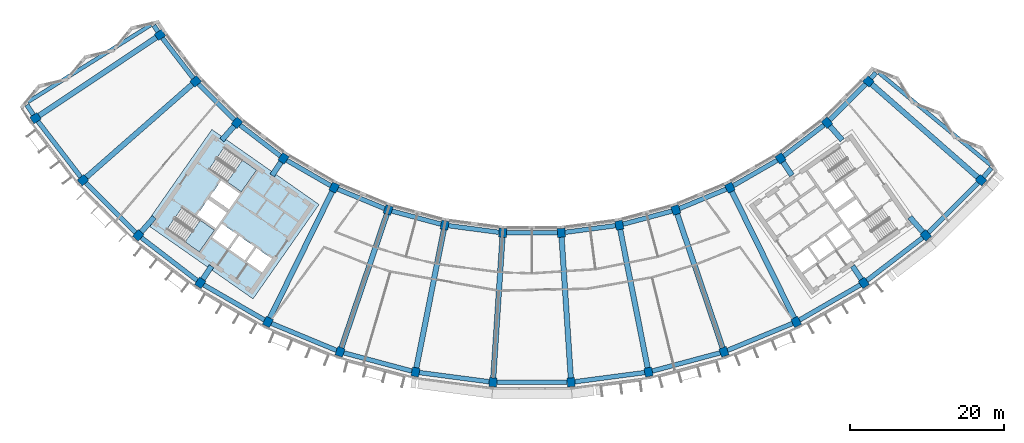
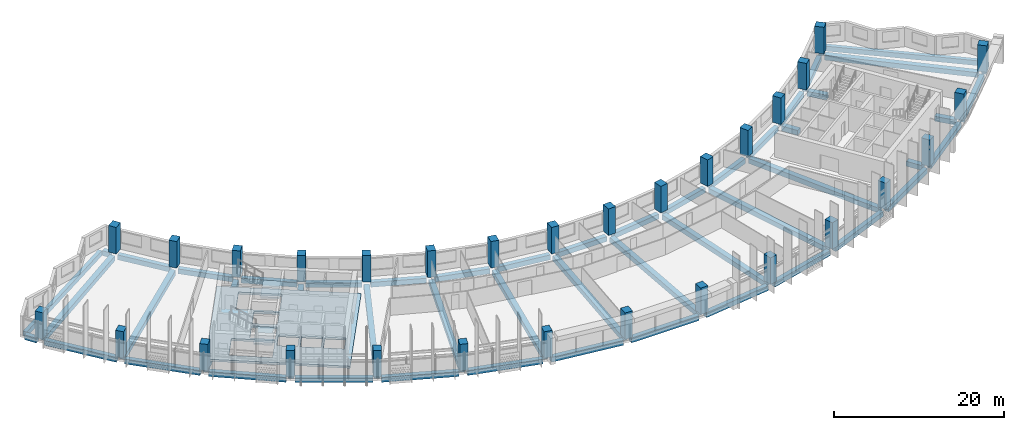
# One storey, part 1 of 28: 53 beams, 30 columns, 3 slabs, 2 elements without a shape of their own.
"""IFC4 building model written with IfcOpenShell, lengths in metres."""

from ifc_helpers import new_model, si_unit, direction, frame, origin, origin_2d, place, context, subcontext, project, spatial, polyline, rectangle, outline, extrude, material, layer, layer_set, material_profile, profile_set, type_object, element, aggregate, save


model = new_model("IFC4")

# Units and contexts
model_context = context("Model", 3, precision=1e-05, world=origin(), true_north=direction((0.0, 1.0)))
body_context = subcontext(model_context, "Body", "Model", "MODEL_VIEW")
ifc_project = project(units=[si_unit("LENGTHUNIT", "METRE"), si_unit("AREAUNIT", "SQUARE_METRE"), si_unit("VOLUMEUNIT", "CUBIC_METRE"), si_unit("PLANEANGLEUNIT", "RADIAN"), si_unit("MASSUNIT", "GRAM", prefix="KILO")], contexts=[model_context])

# Site, building, storey
site_placement = place(None, origin())
site = spatial("IfcSite", under=ifc_project, at=site_placement, CompositionType="ELEMENT")
building_placement = place(site_placement, origin())
building = spatial("IfcBuilding", under=site, at=building_placement, Name="Qamariyya Broadcast Tower", CompositionType="ELEMENT")
storey_placement = place(building_placement, frame((0.0, 0.0, 218.89990234375)))
storey = spatial("IfcBuildingStorey", under=building, at=storey_placement, Name="L52", CompositionType="ELEMENT", Elevation=218.89990234375)

# Columns
ifc_material_1 = material(Name="Concrete C60/75", Category="concrete")
ifc_material_profile_1 = material_profile(ifc_material_1, rectangle(XDim=1.0, YDim=1.14990234375, at=origin_2d()))
ifc_profile_set_1 = profile_set([ifc_material_profile_1], Name="Concrete C60/75")
column_type = type_object("IfcColumnType", Name="RC column 1000 x 1150 C60/75", PredefinedType="COLUMN", material=ifc_profile_set_1)
for number, where, z_axis, x_axis, name in (
    (1, (-48.43310546875, -32.362060546875, 0.0), (0.0, 0.0, 1.0), (0.55557023302, -0.831469612303, 0.0), "Column C11 L52 B-R03"),
    (2, (-64.646728515625, -43.195556640625, 0.0), (0.0, 0.0, 1.0), (0.55557023302, -0.831469612303, 0.0), "Column C11 L52 C-R03"),
    (3, (-43.794677734375, -38.406982421875, 0.0), (0.0, 0.0, 1.0), (0.6593458151, -0.751839807479, 0.0), "Column C11 L52 B-R04"),
    (4, (-58.45556640625, -51.26416015625, 0.0), (0.0, 0.0, 1.0), (0.6593458151, -0.751839807479, 0.0), "Column C11 L52 C-R04"),
    (5, (-38.406982421875, -43.794677734375, 0.0), (0.0, 0.0, 1.0), (0.751839807479, -0.6593458151, 0.0), "Column C11 L52 B-R05"),
    (6, (-51.26416015625, -58.45556640625, 0.0), (0.0, 0.0, 1.0), (0.751839807479, -0.6593458151, 0.0), "Column C11 L52 C-R05"),
    (7, (-32.362060546875, -48.43310546875, 0.0), (0.0, 0.0, 1.0), (0.831469612303, -0.55557023302, 0.0), "Column C11 L52 B-R06"),
    (8, (-43.195556640625, -64.646728515625, 0.0), (0.0, 0.0, 1.0), (0.831469612303, -0.55557023302, 0.0), "Column C11 L52 C-R06"),
    (9, (-25.763427734375, -52.242919921875, 0.0), (0.0, 0.0, 1.0), (0.896872741533, -0.442288690219, 0.0), "Column C11 L52 B-R07"),
    (10, (-34.387939453125, -69.73193359375, 0.0), (0.0, 0.0, 1.0), (0.896872741533, -0.442288690219, 0.0), "Column C11 L52 C-R07"),
    (11, (-18.723876953125, -55.15869140625, 0.0), (0.0, 0.0, 1.0), (0.946930129495, -0.321439465303, 0.0), "Column C11 L52 B-R08"),
    (12, (-24.991943359375, -73.623779296875, 0.0), (0.0, 0.0, 1.0), (0.946930129495, -0.321439465303, 0.0), "Column C11 L52 C-R08"),
    (13, (-11.364013671875, -57.130859375, 0.0), (0.0, 0.0, 1.0), (0.980785280403, -0.195090322016, 0.0), "Column C11 L52 B-R09"),
    (14, (-15.168212890625, -76.256103515625, 0.0), (0.0, 0.0, 1.0), (0.980785280403, -0.195090322016, 0.0), "Column C11 L52 C-R09"),
    (15, (-3.809814453125, -58.125244140625, 0.0), (0.0, 0.0, 1.0), (0.997858923239, -0.06540312923, 0.0), "Column C11 L52 B-R10"),
    (16, (-5.085205078125, -77.58349609375, 0.0), (0.0, 0.0, 1.0), (0.997858923239, -0.06540312923, 0.0), "Column C11 L52 C-R10"),
    (17, (3.809814453125, -58.125244140625, 0.0), (0.0, 0.0, 1.0), (0.997858923239, 0.06540312923, 0.0), "Column C11 L52 B-R11"),
    (18, (5.085205078125, -77.58349609375, 0.0), (0.0, 0.0, 1.0), (0.997858923239, 0.06540312923, 0.0), "Column C11 L52 C-R11"),
    (19, (11.364013671875, -57.130859375, 0.0), (0.0, 0.0, 1.0), (0.980785280403, 0.195090322016, 0.0), "Column C11 L52 B-R12"),
    (20, (15.168212890625, -76.256103515625, 0.0), (0.0, 0.0, 1.0), (0.980785280403, 0.195090322016, 0.0), "Column C11 L52 C-R12"),
    (21, (18.723876953125, -55.15869140625, 0.0), (0.0, 0.0, 1.0), (0.946930129495, 0.321439465303, 0.0), "Column C11 L52 B-R13"),
    (22, (24.991943359375, -73.623779296875, 0.0), (0.0, 0.0, 1.0), (0.946930129495, 0.321439465303, 0.0), "Column C11 L52 C-R13"),
    (23, (25.763427734375, -52.242919921875, 0.0), (0.0, 0.0, 1.0), (0.896872741533, 0.442288690219, 0.0), "Column C11 L52 B-R14"),
    (24, (34.387939453125, -69.73193359375, 0.0), (0.0, 0.0, 1.0), (0.896872741533, 0.442288690219, 0.0), "Column C11 L52 C-R14"),
    (25, (32.362060546875, -48.43310546875, 0.0), (0.0, 0.0, 1.0), (0.831469612303, 0.55557023302, 0.0), "Column C11 L52 B-R15"),
    (26, (43.195556640625, -64.646728515625, 0.0), (0.0, 0.0, 1.0), (0.831469612303, 0.55557023302, 0.0), "Column C11 L52 C-R15"),
    (27, (38.406982421875, -43.794677734375, 0.0), (0.0, 0.0, 1.0), (0.751839807479, 0.6593458151, 0.0), "Column C11 L52 B-R16"),
    (28, (51.26416015625, -58.45556640625, 0.0), (0.0, 0.0, 1.0), (0.751839807479, 0.6593458151, 0.0), "Column C11 L52 C-R16"),
    (29, (43.794677734375, -38.406982421875, 0.0), (0.0, 0.0, 1.0), (0.6593458151, 0.751839807479, 0.0), "Column C11 L52 B-R17"),
    (30, (58.45556640625, -51.26416015625, 0.0), (0.0, 0.0, 1.0), (0.6593458151, 0.751839807479, 0.0), "Column C11 L52 C-R17"),
):
    element("IfcColumn", number, at=place(storey_placement, frame(where, z_axis=z_axis, x_axis=x_axis)), inside=storey, type_object=column_type, Name=name, PredefinedType="COLUMN", context=body_context, shape_type="SweptSolid", body=[
        extrude(rectangle(XDim=1.0, YDim=1.14990234375, at=origin_2d()), origin(), (0.0, 0.0, 1.0), 3.800048828125),
    ])

# Beams
ifc_material_2 = material(Name="Concrete C40/50", Category="concrete")
ifc_material_profile_2 = material_profile(ifc_material_2, rectangle(XDim=0.60009765625, YDim=0.699951171875, at=origin_2d()))
ifc_profile_set_2 = profile_set([ifc_material_profile_2], Name="Concrete C40/50")
beam_type_1 = type_object("IfcBeamType", Name="RC edge beam 600 x 700 C40/50", PredefinedType="SPANDREL", material=ifc_profile_set_2)
for number, where, z_axis, x_axis, name in (
    (31, (-48.128173828125, -32.759521484375, -0.64990234375), (0.608788546151, -0.79333253184, 0.0), (0.79333253184, 0.608788546151, 0.0), "Edge beam B20 L52 B R03-R04"),
    (32, (-43.4404296875, -38.76123046875, -0.64990234375), (0.707106781187, -0.707106781187, 0.0), (0.707106781187, 0.707106781187, 0.0), "Edge beam B20 L52 B R04-R05"),
    (33, (-38.00927734375, -44.099609375, -0.64990234375), (0.79333253184, -0.608788546151, 0.0), (0.608788546151, 0.79333253184, 0.0), "Edge beam B20 L52 B R05-R06"),
):
    element("IfcBeam", number, at=place(storey_placement, frame(where, z_axis=z_axis, x_axis=x_axis)), inside=storey, type_object=beam_type_1, Name=name, PredefinedType="SPANDREL", context=body_context, shape_type="SweptSolid", body=[
        extrude(rectangle(XDim=0.60009765625, YDim=0.699951171875, at=origin_2d()), origin(), (0.0, 0.0, 1.0), 6.617431640625),
    ])
for number, where, z_axis, x_axis, name in (
    (34, (-31.927978515625, -48.68359375, -0.64990234375), (0.866027686223, -0.499996046679, 0.0), (0.499996046679, 0.866027686223, 0.0), "Edge beam B20 L52 B R06-R07"),
    (35, (-25.30029296875, -52.4345703125, -0.64990234375), (0.923870685948, -0.382704789159, 0.0), (0.382704789159, 0.923870685948, 0.0), "Edge beam B20 L52 B R07-R08"),
):
    element("IfcBeam", number, at=place(storey_placement, frame(where, z_axis=z_axis, x_axis=x_axis)), inside=storey, type_object=beam_type_1, Name=name, PredefinedType="SPANDREL", context=body_context, shape_type="SweptSolid", body=[
        extrude(rectangle(XDim=0.60009765625, YDim=0.699951171875, at=origin_2d()), origin(), (0.0, 0.0, 1.0), 6.6171875),
    ])
for number, where, z_axis, x_axis, name in (
    (36, (-18.23974609375, -55.288330078125, -0.64990234375), (0.965927466282, -0.258812924486, 0.0), (0.258812924486, 0.965927466282, 0.0), "Edge beam B20 L52 B R08-R09"),
    (37, (-10.8671875, -57.196044921875, -0.64990234375), (0.991444372314, -0.130529906942, 0.0), (0.130529906942, 0.991444372314, 0.0), "Edge beam B20 L52 B R09-R10"),
):
    element("IfcBeam", number, at=place(storey_placement, frame(where, z_axis=z_axis, x_axis=x_axis)), inside=storey, type_object=beam_type_1, Name=name, PredefinedType="SPANDREL", context=body_context, shape_type="SweptSolid", body=[
        extrude(rectangle(XDim=0.60009765625, YDim=0.699951171875, at=origin_2d()), origin(), (0.0, 0.0, 1.0), 6.617431640625),
    ])
beam_1_placement = place(storey_placement, frame((-3.30859375, -58.125244140625, -0.64990234375), z_axis=(1.0, 0.0, 0.0), x_axis=(0.0, 1.0, 0.0)))
element("IfcBeam", 38, at=beam_1_placement, inside=storey, type_object=beam_type_1, Name="Edge beam B20 L52 B R10-R11", PredefinedType="SPANDREL", context=body_context, shape_type="SweptSolid", body=[
    extrude(rectangle(XDim=0.60009765625, YDim=0.699951171875, at=origin_2d()), origin(), (0.0, 0.0, 1.0), 6.6171875),
])
for number, where, z_axis, x_axis, name in (
    (39, (4.306396484375, -58.059814453125, -0.64990234375), (0.991444372314, 0.130529906942, 0.0), (-0.130529906942, 0.991444372314, 0.0), "Edge beam B20 L52 B R11-R12"),
    (40, (11.847900390625, -57.0009765625, -0.64990234375), (0.965927466282, 0.258812924486, 0.0), (-0.258812924486, 0.965927466282, 0.0), "Edge beam B20 L52 B R12-R13"),
):
    element("IfcBeam", number, at=place(storey_placement, frame(where, z_axis=z_axis, x_axis=x_axis)), inside=storey, type_object=beam_type_1, Name=name, PredefinedType="SPANDREL", context=body_context, shape_type="SweptSolid", body=[
        extrude(rectangle(XDim=0.60009765625, YDim=0.699951171875, at=origin_2d()), origin(), (0.0, 0.0, 1.0), 6.617431640625),
    ])
for number, where, z_axis, x_axis, name in (
    (41, (19.186767578125, -54.967041015625, -0.64990234375), (0.923870685948, 0.382704789159, 0.0), (-0.382704789159, 0.923870685948, 0.0), "Edge beam B20 L52 B R13-R14"),
    (42, (26.197265625, -51.9921875, -0.64990234375), (0.866027686223, 0.499996046679, 0.0), (-0.499996046679, 0.866027686223, 0.0), "Edge beam B20 L52 B R14-R15"),
):
    element("IfcBeam", number, at=place(storey_placement, frame(where, z_axis=z_axis, x_axis=x_axis)), inside=storey, type_object=beam_type_1, Name=name, PredefinedType="SPANDREL", context=body_context, shape_type="SweptSolid", body=[
        extrude(rectangle(XDim=0.60009765625, YDim=0.699951171875, at=origin_2d()), origin(), (0.0, 0.0, 1.0), 6.6171875),
    ])
for number, where, z_axis, x_axis, name in (
    (43, (32.759521484375, -48.128173828125, -0.64990234375), (0.79333253184, 0.608788546151, 0.0), (-0.608788546151, 0.79333253184, 0.0), "Edge beam B20 L52 B R15-R16"),
    (44, (38.76123046875, -43.4404296875, -0.64990234375), (0.707106781187, 0.707106781187, 0.0), (-0.707106781187, 0.707106781187, 0.0), "Edge beam B20 L52 B R16-R17"),
):
    element("IfcBeam", number, at=place(storey_placement, frame(where, z_axis=z_axis, x_axis=x_axis)), inside=storey, type_object=beam_type_1, Name=name, PredefinedType="SPANDREL", context=body_context, shape_type="SweptSolid", body=[
        extrude(rectangle(XDim=0.60009765625, YDim=0.699951171875, at=origin_2d()), origin(), (0.0, 0.0, 1.0), 6.617431640625),
    ])
for number, where, z_axis, x_axis, name in (
    (45, (-64.341796875, -43.593017578125, -0.64990234375), (0.608761882331, -0.793352992445, 0.0), (0.793352992445, 0.608761882331, 0.0), "Edge beam B20 L52 C R03-R04"),
    (46, (-58.101318359375, -51.618408203125, -0.64990234375), (0.707106781187, -0.707106781187, 0.0), (0.707106781187, 0.707106781187, 0.0), "Edge beam B20 L52 C R04-R05"),
    (47, (-50.86669921875, -58.760498046875, -0.64990234375), (0.793352992445, -0.608761882331, 0.0), (0.608761882331, 0.793352992445, 0.0), "Edge beam B20 L52 C R05-R06"),
    (48, (-42.76171875, -64.897216796875, -0.64990234375), (0.866032154434, -0.49998830735, 0.0), (0.49998830735, 0.866032154434, 0.0), "Edge beam B20 L52 C R06-R07"),
    (49, (-33.925048828125, -69.923583984375, -0.64990234375), (0.923876946533, -0.382689675409, 0.0), (0.382689675409, 0.923876946533, 0.0), "Edge beam B20 L52 C R07-R08"),
):
    element("IfcBeam", number, at=place(storey_placement, frame(where, z_axis=z_axis, x_axis=x_axis)), inside=storey, type_object=beam_type_1, Name=name, PredefinedType="SPANDREL", context=body_context, shape_type="SweptSolid", body=[
        extrude(rectangle(XDim=0.60009765625, YDim=0.699951171875, at=origin_2d()), origin(), (0.0, 0.0, 1.0), 9.168212890625),
    ])
for number, where, z_axis, x_axis, name in (
    (50, (-24.5078125, -73.75341796875, -0.64990234375), (0.965919522093, -0.258842571536, 0.0), (0.258842571536, 0.965919522093, 0.0), "Edge beam B20 L52 C R08-R09"),
    (51, (-14.67138671875, -76.321533203125, -0.64990234375), (0.991446770895, -0.130511687147, 0.0), (0.130511687147, 0.991446770895, 0.0), "Edge beam B20 L52 C R09-R10"),
    (52, (-4.583984375, -77.58349609375, -0.64990234375), (1.0, 0.0, 0.0), (0.0, 1.0, 0.0), "Edge beam B20 L52 C R10-R11"),
    (53, (5.581787109375, -77.51806640625, -0.64990234375), (0.991446770895, 0.130511687147, 0.0), (-0.130511687147, 0.991446770895, 0.0), "Edge beam B20 L52 C R11-R12"),
    (54, (15.65234375, -76.12646484375, -0.64990234375), (0.965919522093, 0.258842571536, 0.0), (-0.258842571536, 0.965919522093, 0.0), "Edge beam B20 L52 C R12-R13"),
):
    element("IfcBeam", number, at=place(storey_placement, frame(where, z_axis=z_axis, x_axis=x_axis)), inside=storey, type_object=beam_type_1, Name=name, PredefinedType="SPANDREL", context=body_context, shape_type="SweptSolid", body=[
        extrude(rectangle(XDim=0.60009765625, YDim=0.699951171875, at=origin_2d()), origin(), (0.0, 0.0, 1.0), 9.16796875),
    ])
for number, where, z_axis, x_axis, name in (
    (55, (25.454833984375, -73.43212890625, -0.64990234375), (0.923876946533, 0.382689675409, 0.0), (-0.382689675409, 0.923876946533, 0.0), "Edge beam B20 L52 C R13-R14"),
    (56, (34.82177734375, -69.481201171875, -0.64990234375), (0.866032154434, 0.49998830735, 0.0), (-0.49998830735, 0.866032154434, 0.0), "Edge beam B20 L52 C R14-R15"),
    (57, (43.593017578125, -64.341796875, -0.64990234375), (0.793352992445, 0.608761882331, 0.0), (-0.608761882331, 0.793352992445, 0.0), "Edge beam B20 L52 C R15-R16"),
    (58, (51.618408203125, -58.101318359375, -0.64990234375), (0.707106781187, 0.707106781187, 0.0), (-0.707106781187, 0.707106781187, 0.0), "Edge beam B20 L52 C R16-R17"),
):
    element("IfcBeam", number, at=place(storey_placement, frame(where, z_axis=z_axis, x_axis=x_axis)), inside=storey, type_object=beam_type_1, Name=name, PredefinedType="SPANDREL", context=body_context, shape_type="SweptSolid", body=[
        extrude(rectangle(XDim=0.60009765625, YDim=0.699951171875, at=origin_2d()), origin(), (0.0, 0.0, 1.0), 9.168212890625),
    ])
ifc_material_profile_3 = material_profile(ifc_material_2, rectangle(XDim=0.60009765625, YDim=0.699951171875, at=origin_2d()))
ifc_profile_set_3 = profile_set([ifc_material_profile_3], Name="Concrete C40/50")
beam_type_2 = type_object("IfcBeamType", Name="RC horn beam 600 x 700 C40/50", PredefinedType="BEAM", material=ifc_profile_set_3)
beam_2_placement = place(storey_placement, frame((-48.70458984375, -31.942138671875, -0.64990234375), z_axis=(-0.543138105582, 0.839643375645, 0.0), x_axis=(-0.839643375645, -0.543138105582, 0.0)))
element("IfcBeam", 59, at=beam_2_placement, inside=storey, type_object=beam_type_2, Name="Horn beam B19 L52 W B-R03", PredefinedType="BEAM", context=body_context, shape_type="SweptSolid", body=[
    extrude(rectangle(XDim=0.60009765625, YDim=0.699951171875, at=origin_2d()), origin(), (0.0, 0.0, 1.0), 0.98388671875),
])
beam_3_placement = place(storey_placement, frame((-64.91845703125, -42.775634765625, -0.64990234375), z_axis=(-0.543121848217, 0.839653891784, 0.0), x_axis=(-0.839653891784, -0.543121848217, 0.0)))
element("IfcBeam", 60, at=beam_3_placement, inside=storey, type_object=beam_type_2, Name="Horn beam B19 L52 W C-R03", PredefinedType="BEAM", context=body_context, shape_type="SweptSolid", body=[
    extrude(rectangle(XDim=0.60009765625, YDim=0.699951171875, at=origin_2d()), origin(), (0.0, 0.0, 1.0), 1.564208984375),
])
beam_4_placement = place(storey_placement, frame((44.11865234375, -38.026123046875, -0.64990234375), z_axis=(0.648130876633, 0.761528966458, 0.0), x_axis=(-0.761528966458, 0.648130876633, 0.0)))
element("IfcBeam", 61, at=beam_4_placement, inside=storey, type_object=beam_type_2, Name="Horn beam B19 L52 E B-R17", PredefinedType="BEAM", context=body_context, shape_type="SweptSolid", body=[
    extrude(rectangle(XDim=0.60009765625, YDim=0.699951171875, at=origin_2d()), origin(), (0.0, 0.0, 1.0), 0.98388671875),
])
beam_5_placement = place(storey_placement, frame((58.779541015625, -50.88330078125, -0.64990234375), z_axis=(0.64810129889, 0.761554138835, 0.0), x_axis=(-0.761554138835, 0.64810129889, 0.0)))
element("IfcBeam", 62, at=beam_5_placement, inside=storey, type_object=beam_type_2, Name="Horn beam B19 L52 E C-R17", PredefinedType="BEAM", context=body_context, shape_type="SweptSolid", body=[
    extrude(rectangle(XDim=0.60009765625, YDim=0.699951171875, at=origin_2d()), origin(), (0.0, 0.0, 1.0), 1.564453125),
])
ifc_material_profile_4 = material_profile(ifc_material_2, rectangle(XDim=0.5, YDim=0.699951171875, at=origin_2d()))
ifc_profile_set_4 = profile_set([ifc_material_profile_4], Name="Concrete C40/50")
beam_type_3 = type_object("IfcBeamType", Name="RC horn cap beam 500 x 700 C40/50", PredefinedType="BEAM", material=ifc_profile_set_4)
for number, where, z_axis, x_axis, name in (
    (63, (-49.629150390625, -31.065185546875, -0.64990234375), (-0.847631622425, -0.530585179462, 0.0), (0.530585179462, -0.847631622425, 0.0), "Horn cap beam B21 L52 W B-C"),
    (64, (45.149658203125, -37.27734375, -0.64990234375), (0.771132422827, -0.636674788621, 0.0), (0.636674788621, 0.771132422827, 0.0), "Horn cap beam B21 L52 E B-C"),
):
    element("IfcBeam", number, at=place(storey_placement, frame(where, z_axis=z_axis, x_axis=x_axis)), inside=storey, type_object=beam_type_3, Name=name, PredefinedType="BEAM", context=body_context, shape_type="SweptSolid", body=[
        extrude(rectangle(XDim=0.5, YDim=0.699951171875, at=origin_2d()), origin(), (0.0, 0.0, 1.0), 18.900146484375),
    ])
ifc_material_profile_5 = material_profile(ifc_material_2, rectangle(XDim=0.699951171875, YDim=0.699951171875, at=origin_2d()))
ifc_profile_set_5 = profile_set([ifc_material_profile_5], Name="Concrete C40/50")
beam_type_4 = type_object("IfcBeamType", Name="RC radial beam 700 x 700 C40/50", PredefinedType="BEAM", material=ifc_profile_set_5)
beam_6_placement = place(storey_placement, frame((-48.9111328125, -32.681396484375, -0.64990234375), z_axis=(-0.831468530479, -0.55557185208, 0.0), x_axis=(0.55557185208, -0.831468530479, 0.0)))
element("IfcBeam", 65, at=beam_6_placement, inside=storey, type_object=beam_type_4, Name="Radial beam B18 L52 R03 B-C", PredefinedType="BEAM", context=body_context, shape_type="SweptSolid", body=[
    extrude(rectangle(XDim=0.699951171875, YDim=0.699951171875, at=origin_2d()), origin(), (0.0, 0.0, 1.0), 18.35009765625),
])
beam_7_placement = place(storey_placement, frame((-44.22705078125, -38.7861328125, -0.64990234375), z_axis=(-0.751840222646, -0.659345341692, 0.0), x_axis=(0.659345341692, -0.751840222646, 0.0)))
element("IfcBeam", 66, at=beam_7_placement, inside=storey, type_object=beam_type_4, Name="Radial beam B18 L52 R04 B-C", PredefinedType="BEAM", context=body_context, shape_type="SweptSolid", body=[
    extrude(rectangle(XDim=0.699951171875, YDim=0.699951171875, at=origin_2d()), origin(), (0.0, 0.0, 1.0), 18.349853515625),
])
beam_8_placement = place(storey_placement, frame((-38.7861328125, -44.22705078125, -0.64990234375), z_axis=(-0.659347500472, -0.751838329444, 0.0), x_axis=(0.751838329444, -0.659347500472, 0.0)))
element("IfcBeam", 67, at=beam_8_placement, inside=storey, type_object=beam_type_4, Name="Radial beam B18 L52 R05 B-C", PredefinedType="BEAM", context=body_context, shape_type="SweptSolid", body=[
    extrude(rectangle(XDim=0.699951171875, YDim=0.699951171875, at=origin_2d()), origin(), (0.0, 0.0, 1.0), 2.43896484375),
])
beam_9_placement = place(storey_placement, frame((-49.1943359375, -56.095458984375, -0.64990234375), z_axis=(-0.65936701245, -0.751821217373, 0.0), x_axis=(0.751821217373, -0.65936701245, 0.0)))
element("IfcBeam", 68, at=beam_9_placement, inside=storey, type_object=beam_type_4, Name="Radial beam B18 L52 R05 B-C", PredefinedType="BEAM", context=body_context, shape_type="SweptSolid", body=[
    extrude(rectangle(XDim=0.699951171875, YDim=0.699951171875, at=origin_2d()), origin(), (0.0, 0.0, 1.0), 2.56396484375),
])
beam_10_placement = place(storey_placement, frame((-32.681396484375, -48.9111328125, -0.64990234375), z_axis=(-0.555589685374, -0.831456614326, 0.0), x_axis=(0.831456614326, -0.555589685374, 0.0)))
element("IfcBeam", 69, at=beam_10_placement, inside=storey, type_object=beam_type_4, Name="Radial beam B18 L52 R06 B-C", PredefinedType="BEAM", context=body_context, shape_type="SweptSolid", body=[
    extrude(rectangle(XDim=0.699951171875, YDim=0.699951171875, at=origin_2d()), origin(), (0.0, 0.0, 1.0), 2.08935546875),
])
beam_11_placement = place(storey_placement, frame((-41.733154296875, -62.458251953125, -0.64990234375), z_axis=(-0.555630982199, -0.831429017788, 0.0), x_axis=(0.831429017788, -0.555630982199, 0.0)))
element("IfcBeam", 70, at=beam_11_placement, inside=storey, type_object=beam_type_4, Name="Radial beam B18 L52 R06 B-C", PredefinedType="BEAM", context=body_context, shape_type="SweptSolid", body=[
    extrude(rectangle(XDim=0.699951171875, YDim=0.699951171875, at=origin_2d()), origin(), (0.0, 0.0, 1.0), 2.05712890625),
])
beam_12_placement = place(storey_placement, frame((-26.017578125, -52.758544921875, -0.64990234375), z_axis=(-0.442289405452, -0.896872388819, 0.0), x_axis=(0.896872388819, -0.442289405452, 0.0)))
element("IfcBeam", 71, at=beam_12_placement, inside=storey, type_object=beam_type_4, Name="Radial beam B18 L52 R07 B-C", PredefinedType="BEAM", context=body_context, shape_type="SweptSolid", body=[
    extrude(rectangle(XDim=0.699951171875, YDim=0.699951171875, at=origin_2d()), origin(), (0.0, 0.0, 1.0), 18.349853515625),
])
for number, where, z_axis, x_axis, name in (
    (72, (-18.90869140625, -55.703125, -0.64990234375), (-0.321439728167, -0.946930040265, 0.0), (0.946930040265, -0.321439728167, 0.0), "Radial beam B18 L52 R08 B-C"),
    (73, (-11.47607421875, -57.694580078125, -0.64990234375), (-0.195097720648, -0.980783808695, 0.0), (0.980783808695, -0.195097720648, 0.0), "Radial beam B18 L52 R09 B-C"),
    (74, (-3.847412109375, -58.698974609375, -0.64990234375), (-0.065405444204, -0.997858771505, 0.0), (0.997858771505, -0.065405444204, 0.0), "Radial beam B18 L52 R10 B-C"),
    (75, (3.847412109375, -58.698974609375, -0.64990234375), (0.065405444204, -0.997858771505, 0.0), (0.997858771505, 0.065405444204, 0.0), "Radial beam B18 L52 R11 B-C"),
    (76, (11.47607421875, -57.694580078125, -0.64990234375), (0.195097720648, -0.980783808695, 0.0), (0.980783808695, 0.195097720648, 0.0), "Radial beam B18 L52 R12 B-C"),
    (77, (18.90869140625, -55.703125, -0.64990234375), (0.321439728167, -0.946930040265, 0.0), (0.946930040265, 0.321439728167, 0.0), "Radial beam B18 L52 R13 B-C"),
):
    element("IfcBeam", number, at=place(storey_placement, frame(where, z_axis=z_axis, x_axis=x_axis)), inside=storey, type_object=beam_type_4, Name=name, PredefinedType="BEAM", context=body_context, shape_type="SweptSolid", body=[
        extrude(rectangle(XDim=0.699951171875, YDim=0.699951171875, at=origin_2d()), origin(), (0.0, 0.0, 1.0), 18.35009765625),
    ])
beam_13_placement = place(storey_placement, frame((26.017578125, -52.758544921875, -0.64990234375), z_axis=(0.442289405452, -0.896872388819, 0.0), x_axis=(0.896872388819, 0.442289405452, 0.0)))
element("IfcBeam", 78, at=beam_13_placement, inside=storey, type_object=beam_type_4, Name="Radial beam B18 L52 R14 B-C", PredefinedType="BEAM", context=body_context, shape_type="SweptSolid", body=[
    extrude(rectangle(XDim=0.699951171875, YDim=0.699951171875, at=origin_2d()), origin(), (0.0, 0.0, 1.0), 18.349853515625),
])
beam_14_placement = place(storey_placement, frame((32.681396484375, -48.9111328125, -0.64990234375), z_axis=(0.555589685374, -0.831456614326, 0.0), x_axis=(0.831456614326, 0.555589685374, 0.0)))
element("IfcBeam", 79, at=beam_14_placement, inside=storey, type_object=beam_type_4, Name="Radial beam B18 L52 R15 B-C", PredefinedType="BEAM", context=body_context, shape_type="SweptSolid", body=[
    extrude(rectangle(XDim=0.699951171875, YDim=0.699951171875, at=origin_2d()), origin(), (0.0, 0.0, 1.0), 2.08935546875),
])
beam_15_placement = place(storey_placement, frame((41.733154296875, -62.458251953125, -0.64990234375), z_axis=(0.555630982199, -0.831429017788, 0.0), x_axis=(0.831429017788, 0.555630982199, 0.0)))
element("IfcBeam", 80, at=beam_15_placement, inside=storey, type_object=beam_type_4, Name="Radial beam B18 L52 R15 B-C", PredefinedType="BEAM", context=body_context, shape_type="SweptSolid", body=[
    extrude(rectangle(XDim=0.699951171875, YDim=0.699951171875, at=origin_2d()), origin(), (0.0, 0.0, 1.0), 2.05712890625),
])
beam_16_placement = place(storey_placement, frame((38.7861328125, -44.22705078125, -0.64990234375), z_axis=(0.659347500472, -0.751838329444, 0.0), x_axis=(0.751838329444, 0.659347500472, 0.0)))
element("IfcBeam", 81, at=beam_16_placement, inside=storey, type_object=beam_type_4, Name="Radial beam B18 L52 R16 B-C", PredefinedType="BEAM", context=body_context, shape_type="SweptSolid", body=[
    extrude(rectangle(XDim=0.699951171875, YDim=0.699951171875, at=origin_2d()), origin(), (0.0, 0.0, 1.0), 2.43896484375),
])
beam_17_placement = place(storey_placement, frame((49.1943359375, -56.095458984375, -0.64990234375), z_axis=(0.65936701245, -0.751821217373, 0.0), x_axis=(0.751821217373, 0.65936701245, 0.0)))
element("IfcBeam", 82, at=beam_17_placement, inside=storey, type_object=beam_type_4, Name="Radial beam B18 L52 R16 B-C", PredefinedType="BEAM", context=body_context, shape_type="SweptSolid", body=[
    extrude(rectangle(XDim=0.699951171875, YDim=0.699951171875, at=origin_2d()), origin(), (0.0, 0.0, 1.0), 2.56396484375),
])
beam_18_placement = place(storey_placement, frame((44.22705078125, -38.7861328125, -0.64990234375), z_axis=(0.751840222646, -0.659345341692, 0.0), x_axis=(0.659345341692, 0.751840222646, 0.0)))
element("IfcBeam", 83, at=beam_18_placement, inside=storey, type_object=beam_type_4, Name="Radial beam B18 L52 R17 B-C", PredefinedType="BEAM", context=body_context, shape_type="SweptSolid", body=[
    extrude(rectangle(XDim=0.699951171875, YDim=0.699951171875, at=origin_2d()), origin(), (0.0, 0.0, 1.0), 18.349853515625),
])

# Slab
ifc_layer_1 = layer(ifc_material_2, 0.300048828125)
ifc_layer_set_1 = layer_set([ifc_layer_1], Name="Core floor slab 300 mm Concrete C40/50")
slab_type_1 = type_object("IfcSlabType", Name="Core floor slab 300 mm Concrete C40/50", PredefinedType="FLOOR", material=ifc_layer_set_1)
slab_1_placement = place(storey_placement, frame((0.0, 0.0, -0.2998046875)))
element("IfcSlab", 84, at=slab_1_placement, inside=storey, type_object=slab_type_1, Name="k-W-L52-slab", PredefinedType="FLOOR", context=body_context, shape_type="SweptSolid", body=[
    extrude(outline(polyline([(-50.286376953125, -56.95751953125), (-36.32373046875, -66.734375), (-27.719970703125, -54.447021484375), (-41.6826171875, -44.67041015625), (-50.286376953125, -56.95751953125)]), holes=[polyline([(-33.87353515625, -61.49169921875), (-35.88037109375, -60.08642578125), (-37.142333984375, -61.888427734375), (-35.13525390625, -63.293701171875), (-33.87353515625, -61.49169921875)]), polyline([(-36.126220703125, -59.914306640625), (-38.133056640625, -58.509033203125), (-39.394775390625, -60.311279296875), (-37.387939453125, -61.716552734375), (-36.126220703125, -59.914306640625)]), polyline([(-38.378662109375, -58.3369140625), (-40.3857421875, -56.931640625), (-41.6474609375, -58.73388671875), (-39.640625, -60.13916015625), (-38.378662109375, -58.3369140625)]), polyline([(-39.742431640625, -55.489990234375), (-42.199951171875, -53.769287109375), (-43.6337890625, -55.817138671875), (-41.17626953125, -57.537841796875), (-39.742431640625, -55.489990234375)]), polyline([(-39.45556640625, -55.080322265625), (-41.9130859375, -53.359619140625), (-40.47900390625, -51.311767578125), (-38.021728515625, -53.032470703125), (-39.45556640625, -55.080322265625)]), polyline([(-42.06103515625, -49.837890625), (-37.849609375, -52.78662109375), (-35.870849609375, -49.960693359375), (-40.082275390625, -47.01171875), (-42.06103515625, -49.837890625)]), polyline([(-47.538818359375, -57.66064453125), (-43.3271484375, -60.609619140625), (-41.348388671875, -57.783447265625), (-45.559814453125, -54.834716796875), (-47.538818359375, -57.66064453125)])]), origin(), (0.0, 0.0, 1.0), 0.2998046875),
])

# Stair, slab
ifc_material_3 = material(Name="Concrete C50/60", Category="concrete")
stair_type = type_object("IfcStairType", Name="Exit stair 22 risers of 173 mm", PredefinedType="HALF_TURN_STAIR", material=ifc_material_3)
stair_1_placement = place(storey_placement, origin())
stair_1 = element("IfcStair", 85, at=stair_1_placement, inside=storey, type_object=stair_type, Name="L52 Stair W2", PredefinedType="HALF_TURN_STAIR")
ifc_layer_2 = layer(ifc_material_3, 0.199951171875)
ifc_layer_set_2 = layer_set([ifc_layer_2], Name="Stair landing")
slab_type_2 = type_object("IfcSlabType", Name="Stair landing", PredefinedType="LANDING", material=ifc_layer_set_2)
slab_2_placement = place(storey_placement, frame((0.0, 0.0, 1.7001953125)))
slab_2 = element("IfcSlab", 86, at=slab_2_placement, type_object=slab_type_2, Name="ST-W2 landing 1", PredefinedType="LANDING", context=body_context, shape_type="SweptSolid", body=[
    extrude(outline(polyline([(-39.692138671875, -51.49658203125), (-37.849609375, -52.78662109375), (-35.870849609375, -49.960693359375), (-37.71337890625, -48.67041015625), (-39.692138671875, -51.49658203125)])), origin(), (0.0, 0.0, 1.0), 0.199951171875),
])
aggregate(stair_1, [slab_2])

stair_2_placement = place(storey_placement, origin())
stair_2 = element("IfcStair", 87, at=stair_2_placement, inside=storey, type_object=stair_type, Name="L52 Stair W1", PredefinedType="HALF_TURN_STAIR")
slab_3_placement = place(storey_placement, frame((0.0, 0.0, 1.7001953125)))
slab_3 = element("IfcSlab", 88, at=slab_3_placement, type_object=slab_type_2, Name="ST-W1 landing 1", PredefinedType="LANDING", context=body_context, shape_type="SweptSolid", body=[
    extrude(outline(polyline([(-45.169677734375, -59.319580078125), (-43.3271484375, -60.609619140625), (-41.348388671875, -57.783447265625), (-43.19091796875, -56.493408203125), (-45.169677734375, -59.319580078125)])), origin(), (0.0, 0.0, 1.0), 0.199951171875),
])
aggregate(stair_2, [slab_3])

save(model, "model.ifc")
